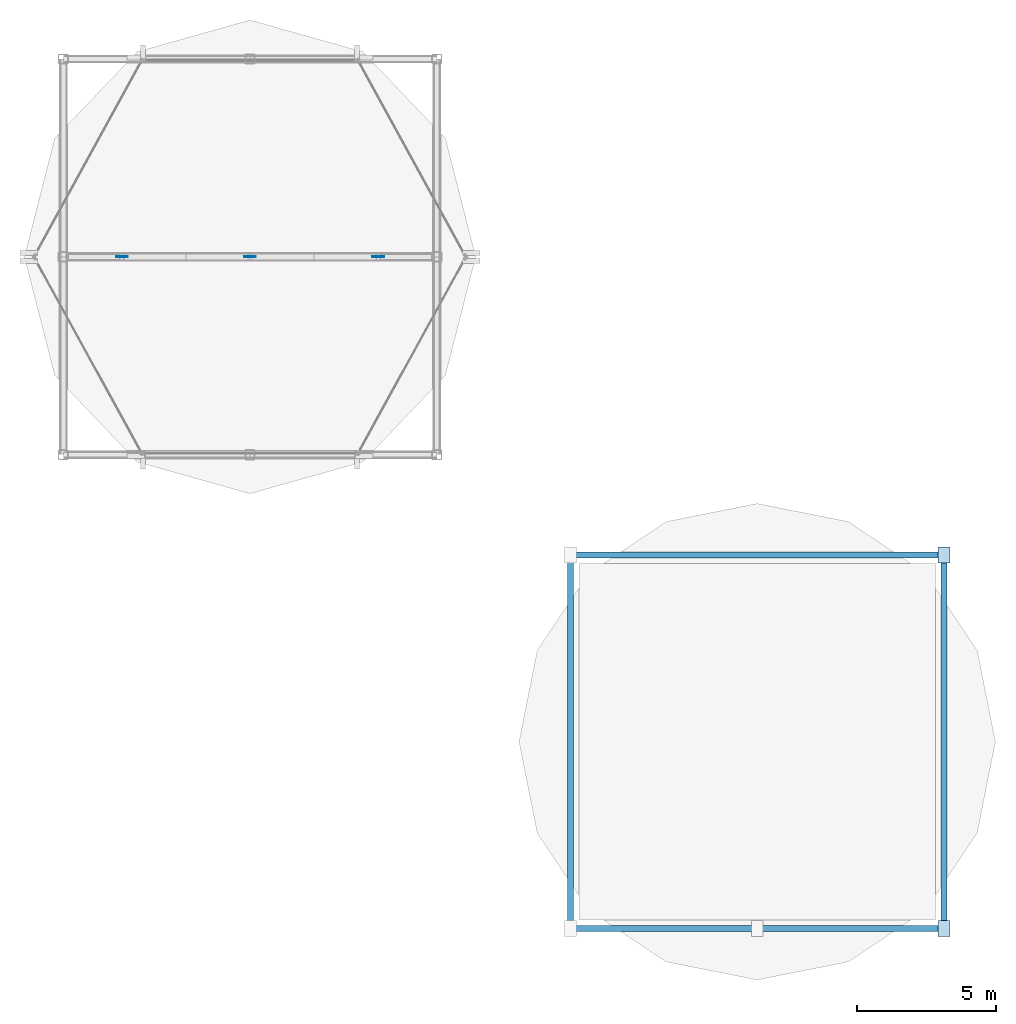
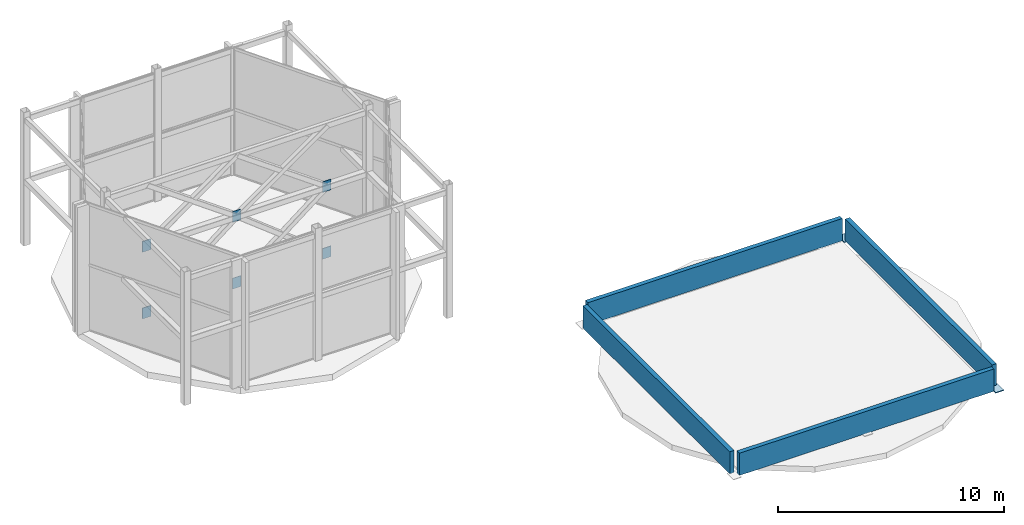
# One storey, part 7 of 8: 8 plates, 4 walls.
"""IFC4 building model written with IfcOpenShell, lengths in metres."""

from ifc_helpers import new_model, si_unit, direction, frame, frame_2d, origin, origin_2d, place, context, subcontext, project, spatial, rectangle, extrude, material, layer, layer_set, type_object, element, save


model = new_model("IFC4")

# Units and contexts
model_context = context("Model", 3, precision=1e-05, world=origin(), true_north=direction((0.0, 1.0)))
body_context = subcontext(model_context, "Body", "Model", "MODEL_VIEW")
ifc_project = project(units=[si_unit("LENGTHUNIT", "METRE"), si_unit("AREAUNIT", "SQUARE_METRE"), si_unit("VOLUMEUNIT", "CUBIC_METRE"), si_unit("PLANEANGLEUNIT", "RADIAN"), si_unit("MASSUNIT", "GRAM", prefix="KILO")], contexts=[model_context])

# Site, building, storey
site_placement = place(None, origin())
site = spatial("IfcSite", under=ifc_project, at=site_placement, CompositionType="ELEMENT")
building_placement = place(site_placement, origin())
building = spatial("IfcBuilding", under=site, at=building_placement, Name="Solvaryn Broadcast Tower", CompositionType="ELEMENT")
storey_placement = place(building_placement, frame((0.0, 0.0, 322.199951171875)))
storey = spatial("IfcBuildingStorey", under=building, at=storey_placement, Name="Roof East", CompositionType="ELEMENT", Elevation=322.199951171875)

# Plates
ifc_material_1 = material(Name="Steel ASTM A572 Grade 50", Category="steel")
ifc_layer_1 = layer(ifc_material_1, 0.031982421875)
ifc_layer_set_1 = layer_set([ifc_layer_1], Name="PL-ENDCAP-32")
plate_type = type_object("IfcPlateType", Name="PL-ENDCAP-32", PredefinedType="USERDEFINED", material=ifc_layer_set_1)
for number, where, z_axis, x_axis, name in (
    (1, (42.800048828125, 11.199951171875, 0.0), (0.0, 0.0, 1.0), (1.0, 0.0, 0.0), "East Crown Column Cap Plate 3"),
    (2, (42.800048828125, 24.60009765625, 0.0), (0.0, 0.0, 1.0), (1.0, 0.0, 0.0), "East Crown Column Cap Plate 4"),
):
    element("IfcPlate", number, at=place(storey_placement, frame(where, z_axis=z_axis, x_axis=x_axis)), inside=storey, type_object=plate_type, Name=name, ObjectType="FLANGE_PLATE", PredefinedType="USERDEFINED", context=body_context, shape_type="SweptSolid", body=[
        extrude(rectangle(XDim=0.419921875, YDim=0.580078125, at=origin_2d()), origin(), (0.0, 0.0, 1.0), 0.031982421875),
    ])
for number, where, z_axis, x_axis, name in (
    (3, (13.300048828125, 35.300048828125, -0.43994140625), (0.0, 0.0, 1.0), (1.0, 0.0, 0.0), "Roof East Crown Brace End Plate WT1-1A"),
    (4, (22.5, 35.300048828125, -0.43994140625), (0.0, 0.0, 1.0), (1.0, 0.0, 0.0), "Roof East Crown Brace End Plate WT1-2A"),
    (5, (17.89990234375, 35.300048828125, -0.43994140625), (0.0, 0.0, 1.0), (1.0, 0.0, 0.0), "Roof East Crown Brace End Plate WT1-3A"),
    (6, (13.300048828125, 35.300048828125, 3.159912109375), (0.0, 0.0, 1.0), (1.0, 0.0, 0.0), "Roof East Crown Brace End Plate WT2-1A"),
    (7, (22.5, 35.300048828125, 3.159912109375), (0.0, 0.0, 1.0), (1.0, 0.0, 0.0), "Roof East Crown Brace End Plate WT2-2A"),
    (8, (17.89990234375, 35.300048828125, 3.159912109375), (0.0, 0.0, 1.0), (1.0, 0.0, 0.0), "Roof East Crown Brace End Plate WT2-3A"),
):
    element("IfcPlate", number, at=place(storey_placement, frame(where, z_axis=z_axis, x_axis=x_axis)), inside=storey, type_object=plate_type, Name=name, ObjectType="FLANGE_PLATE", PredefinedType="USERDEFINED", context=body_context, shape_type="SweptSolid", body=[
        extrude(rectangle(XDim=0.419921875, YDim=0.031982421875, at=origin_2d()), origin(), (0.0, 0.0, 1.0), 0.580078125),
    ])

# Walls
ifc_material_2 = material(Name="Concrete f'c 50 MPa", Category="concrete")
ifc_layer_2 = layer(ifc_material_2, 0.219970703125)
ifc_layer_set_2 = layer_set([ifc_layer_2], Name="PR-CROWN-220")
wall_type = type_object("IfcWallType", Name="PR-CROWN-220", PredefinedType="PARAPET", material=ifc_layer_set_2)
for number, where, z_axis, x_axis, name in (
    (9, (29.60009765625, 11.199951171875, 0.0), (0.0, 0.0, 1.0), (1.0, 0.0, 0.0), "East Peak Crown Roof Parapet 1"),
    (10, (42.800048828125, 11.39990234375, 0.0), (0.0, 0.0, 1.0), (0.0, 1.0, 0.0), "East Peak Crown Roof Parapet 2"),
    (11, (42.60009765625, 24.60009765625, 0.0), (0.0, 0.0, 1.0), (-1.0, 0.0, 0.0), "East Peak Crown Roof Parapet 3"),
    (12, (29.39990234375, 24.39990234375, 0.0), (0.0, 0.0, 1.0), (0.0, -1.0, 0.0), "East Peak Crown Roof Parapet 4"),
):
    element("IfcWall", number, at=place(storey_placement, frame(where, z_axis=z_axis, x_axis=x_axis)), inside=storey, type_object=wall_type, Name=name, PredefinedType="PARAPET", context=body_context, shape_type="SweptSolid", body=[
        extrude(rectangle(XDim=13.0, YDim=0.219970703125, at=frame_2d((6.5, 0.0))), origin(), (0.0, 0.0, 1.0), 1.199951171875),
    ])

save(model, "model.ifc")
